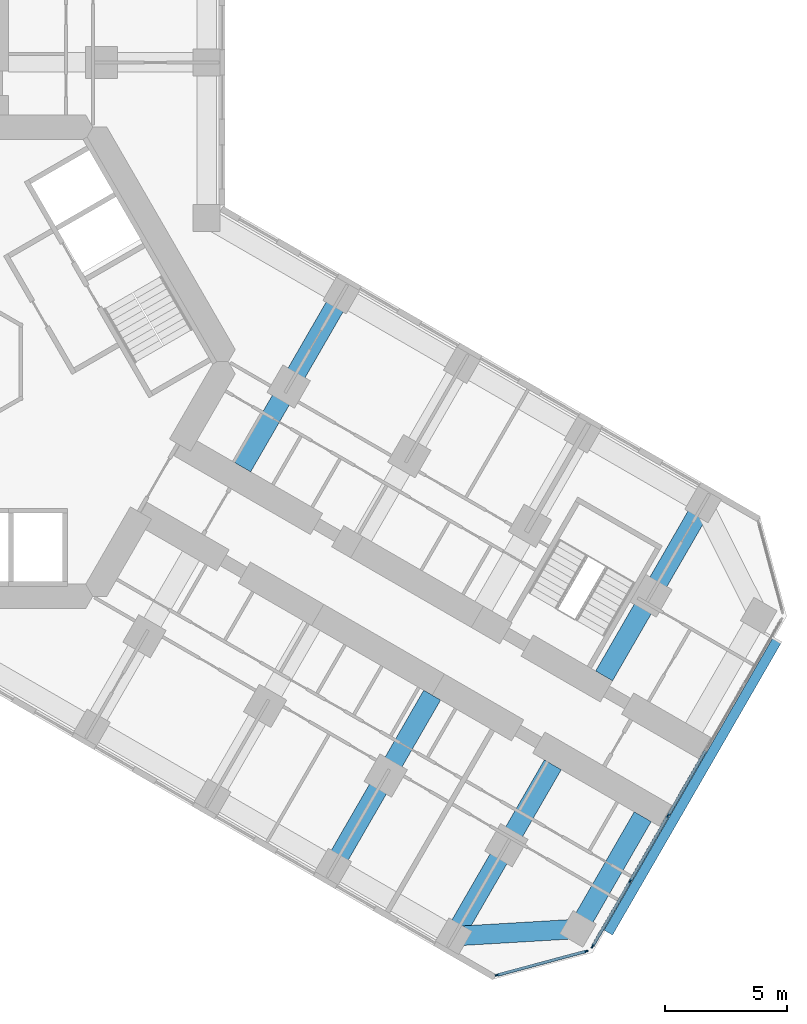
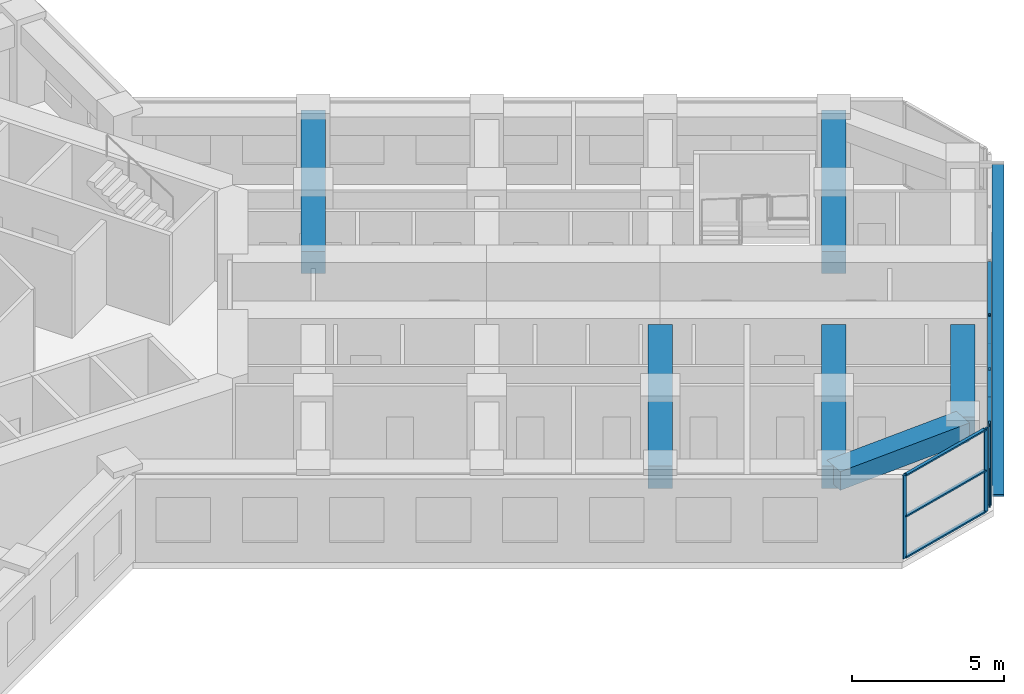
# One storey, part 5 of 21: 15 members, 6 beams, 2 elements without a shape of their own.
"""IFC4 building model written with IfcOpenShell, lengths in metres."""

from ifc_helpers import new_model, si_unit, direction, frame, origin, origin_2d, place, context, subcontext, project, spatial, rectangle, extrude, material, material_profile, profile_set, type_object, element, aggregate, save


model = new_model("IFC4")

# Units and contexts
model_context = context("Model", 3, precision=1e-05, world=origin(), true_north=direction((0.0, 1.0)))
body_context = subcontext(model_context, "Body", "Model", "MODEL_VIEW")
ifc_project = project(units=[si_unit("LENGTHUNIT", "METRE"), si_unit("AREAUNIT", "SQUARE_METRE"), si_unit("VOLUMEUNIT", "CUBIC_METRE"), si_unit("PLANEANGLEUNIT", "RADIAN"), si_unit("MASSUNIT", "GRAM", prefix="KILO")], contexts=[model_context])

# Site, building, storey
site_placement = place(None, origin())
site = spatial("IfcSite", under=ifc_project, at=site_placement, CompositionType="ELEMENT")
building_placement = place(site_placement, origin())
building = spatial("IfcBuilding", under=site, at=building_placement, Name="Kosmar Iwan School Tower", CompositionType="ELEMENT")
storey_placement = place(building_placement, frame((0.0, 0.0, 39.39990234375)))
storey = spatial("IfcBuildingStorey", under=building, at=storey_placement, Name="L08", CompositionType="ELEMENT", Elevation=39.39990234375)

# Member
ifc_material_1 = material(Name="Black anodised aluminium", Category="aluminium")
ifc_material_profile_1 = material_profile(ifc_material_1, rectangle(XDim=0.10009765625, YDim=0.39990234375, at=origin_2d()), Name="FIN 100x400")
ifc_profile_set_1 = profile_set([ifc_material_profile_1], Name="Black anodised aluminium")
member_type_1 = type_object("IfcMemberType", Name="Diagonal fin 100x400", PredefinedType="USERDEFINED", material=ifc_profile_set_1)
member_1_placement = place(storey_placement, frame((26.645263671875, -23.34912109375, -0.14990234375), z_axis=(0.483793446988, 0.837970316603, 0.25248692866), x_axis=(-0.126241714543, -0.218661104574, 0.96760030532)))
element("IfcMember", 1, at=member_1_placement, inside=storey, type_object=member_type_1, Name="Diagonal fin L08-F03", ObjectType="FIN", PredefinedType="USERDEFINED", context=body_context, shape_type="SweptSolid", body=[
    extrude(rectangle(XDim=0.10009765625, YDim=0.39990234375, at=origin_2d()), origin(), (0.0, 0.0, 1.0), 14.258544921875),
])

# Curtain wall, members
ifc_material_2 = material(Name="Dark glass in black aluminium frame", Category="aluminium")
curtain_wall_type_1 = type_object("IfcCurtainWallType", Name="Chamfer curtain wall dark glass", PredefinedType="USERDEFINED", material=ifc_material_2)
curtain_wall_1_placement = place(storey_placement, origin())
curtain_wall_1 = element("IfcCurtainWall", 2, at=curtain_wall_1_placement, inside=storey, type_object=curtain_wall_type_1, Name="Curtain wall L08-F02", ObjectType="FACETED CURTAIN WALL", PredefinedType="USERDEFINED")
ifc_material_3 = material(Name="Black anodised aluminium", Category="aluminium")
ifc_material_profile_2 = material_profile(ifc_material_3, rectangle(XDim=0.06005859375, YDim=0.159912109375, at=origin_2d()), Name="MULLION 60x160")
ifc_profile_set_2 = profile_set([ifc_material_profile_2], Name="Black anodised aluminium")
member_type_2 = type_object("IfcMemberType", Name="Mullion 60x160", PredefinedType="MULLION", material=ifc_profile_set_2)
member_2_placement = place(storey_placement, frame((22.0830078125, -25.102294921875, 0.0), z_axis=(0.0, 0.0, 1.0), x_axis=(-0.258818861462, 0.965925875495, 0.0)))
member_2 = element("IfcMember", 3, at=member_2_placement, type_object=member_type_2, Name="CW2 mullion 1", PredefinedType="MULLION", context=body_context, shape_type="SweptSolid", body=[
    extrude(rectangle(XDim=0.06005859375, YDim=0.159912109375, at=origin_2d()), origin(), (0.0, 0.0, 1.0), 3.35009765625),
])
member_3_placement = place(storey_placement, frame((25.733154296875, -24.124267578125, 0.0), z_axis=(0.0, 0.0, 1.0), x_axis=(-0.258818861462, 0.965925875495, 0.0)))
member_3 = element("IfcMember", 4, at=member_3_placement, type_object=member_type_2, Name="CW2 mullion 2", PredefinedType="MULLION", context=body_context, shape_type="SweptSolid", body=[
    extrude(rectangle(XDim=0.06005859375, YDim=0.159912109375, at=origin_2d()), origin(), (0.0, 0.0, 1.0), 3.35009765625),
])

ifc_material_4 = material(Name="Dark glass in black aluminium frame", Category="aluminium")
curtain_wall_type_2 = type_object("IfcCurtainWallType", Name="Tower curtain wall dark glass", PredefinedType="USERDEFINED", material=ifc_material_4)
curtain_wall_2_placement = place(storey_placement, origin())
curtain_wall_2 = element("IfcCurtainWall", 5, at=curtain_wall_2_placement, inside=storey, type_object=curtain_wall_type_2, Name="Curtain wall L08-F03", ObjectType="UNITISED CURTAIN WALL", PredefinedType="USERDEFINED")
member_4_placement = place(storey_placement, frame((25.9970703125, -23.921630859375, 0.0), z_axis=(0.0, 0.0, 1.0), x_axis=(-0.866025405329, 0.499999997325, 0.0)))
member_4 = element("IfcMember", 6, at=member_4_placement, type_object=member_type_2, Name="CW1 mullion 1", PredefinedType="MULLION", context=body_context, shape_type="SweptSolid", body=[
    extrude(rectangle(XDim=0.06005859375, YDim=0.159912109375, at=origin_2d()), origin(), (0.0, 0.0, 1.0), 3.35009765625),
])
member_5_placement = place(storey_placement, frame((27.53173828125, -21.263671875, 0.0), z_axis=(0.0, 0.0, 1.0), x_axis=(-0.866025405329, 0.499999997325, 0.0)))
member_5 = element("IfcMember", 7, at=member_5_placement, type_object=member_type_2, Name="CW1 mullion 2", PredefinedType="MULLION", context=body_context, shape_type="SweptSolid", body=[
    extrude(rectangle(XDim=0.06005859375, YDim=0.159912109375, at=origin_2d()), origin(), (0.0, 0.0, 1.0), 3.35009765625),
])
member_6_placement = place(storey_placement, frame((29.081298828125, -18.57958984375, 0.0), z_axis=(0.0, 0.0, 1.0), x_axis=(-0.866025405329, 0.499999997325, 0.0)))
member_6 = element("IfcMember", 8, at=member_6_placement, type_object=member_type_2, Name="CW1 mullion 3", PredefinedType="MULLION", context=body_context, shape_type="SweptSolid", body=[
    extrude(rectangle(XDim=0.06005859375, YDim=0.159912109375, at=origin_2d()), origin(), (0.0, 0.0, 1.0), 3.35009765625),
])

# Beams
ifc_material_5 = material(Name="Concrete C50/60", Category="concrete")
ifc_material_profile_3 = material_profile(ifc_material_5, rectangle(XDim=0.800048828125, YDim=0.75, at=origin_2d()), Name="RC 800x750")
ifc_profile_set_3 = profile_set([ifc_material_profile_3], Name="Concrete C50/60")
beam_type_1 = type_object("IfcBeamType", Name="RC tip beam 800x750", PredefinedType="BEAM", material=ifc_profile_set_3)
beam_1_placement = place(storey_placement, frame((20.31787109375, -23.508544921875, 2.97509765625), z_axis=(0.998260616478, 0.058955420358, 0.0), x_axis=(-0.058955420358, 0.998260616478, 0.0)))
element("IfcBeam", 9, at=beam_1_placement, inside=storey, type_object=beam_type_1, Name="Tip beam CR", PredefinedType="BEAM", context=body_context, shape_type="SweptSolid", body=[
    extrude(rectangle(XDim=0.800048828125, YDim=0.75, at=origin_2d()), origin(), (0.0, 0.0, 1.0), 5.08935546875),
])
beam_2_placement = place(storey_placement, frame((25.3984375, -23.20849609375, 2.97509765625), z_axis=(0.499993606316, 0.866029095148, 0.0), x_axis=(-0.866029095148, 0.499993606316, 0.0)))
element("IfcBeam", 10, at=beam_2_placement, inside=storey, type_object=beam_type_1, Name="Tip beam CR to corridor wall", PredefinedType="BEAM", context=body_context, shape_type="SweptSolid", body=[
    extrude(rectangle(XDim=0.800048828125, YDim=0.75, at=origin_2d()), origin(), (0.0, 0.0, 1.0), 5.2998046875),
])
ifc_material_6 = material(Name="Concrete C50/60", Category="concrete")
ifc_material_profile_4 = material_profile(ifc_material_6, rectangle(XDim=0.800048828125, YDim=0.89990234375, at=origin_2d()), Name="RC 800x900")
ifc_profile_set_4 = profile_set([ifc_material_profile_4], Name="Concrete C50/60")
beam_type_2 = type_object("IfcBeamType", Name="RC transverse beam 800x900", PredefinedType="BEAM", material=ifc_profile_set_4)
for number, where, z_axis, x_axis, name in (
    (11, (15.708740234375, 2.70849609375, 2.900146484375), (-0.499999880539, -0.866025472755, 0.0), (0.866025472755, -0.499999880539, 0.0), "Transverse beam CL1"),
    (12, (30.517822265625, -5.841552734375, 2.900146484375), (-0.499999880539, -0.866025472755, 0.0), (0.866025472755, -0.499999880539, 0.0), "Transverse beam CL4"),
    (13, (15.381591796875, -20.658447265625, 2.900146484375), (0.499977274689, 0.866038523851, 0.0), (-0.866038523851, 0.499977274689, 0.0), "Transverse beam CR3"),
    (14, (20.31787109375, -23.508544921875, 2.900146484375), (0.499999880539, 0.866025472755, 0.0), (-0.866025472755, 0.499999880539, 0.0), "Transverse beam CR4"),
):
    element("IfcBeam", number, at=place(storey_placement, frame(where, z_axis=z_axis, x_axis=x_axis)), inside=storey, type_object=beam_type_2, Name=name, PredefinedType="BEAM", context=body_context, shape_type="SweptSolid", body=[
        extrude(rectangle(XDim=0.800048828125, YDim=0.89990234375, at=origin_2d()), origin(), (0.0, 0.0, 1.0), 8.10009765625),
    ])

# Member
ifc_material_7 = material(Name="Black anodised aluminium", Category="aluminium")
ifc_material_profile_5 = material_profile(ifc_material_7, rectangle(XDim=0.1201171875, YDim=0.06005859375, at=origin_2d()), Name="TRANSOM 60x120")
ifc_profile_set_5 = profile_set([ifc_material_profile_5], Name="Black anodised aluminium")
member_type_3 = type_object("IfcMemberType", Name="Transom 60x120", PredefinedType="USERDEFINED", material=ifc_profile_set_5)
member_7_placement = place(storey_placement, frame((22.11181640625, -25.094482421875, 0.030029296875), z_axis=(0.965923731726, 0.258826861991, 0.0), x_axis=(-0.258826861991, 0.965923731726, 0.0)))
member_7 = element("IfcMember", 15, at=member_7_placement, type_object=member_type_3, Name="CW2 transom 1.1", ObjectType="TRANSOM", PredefinedType="USERDEFINED", context=body_context, shape_type="SweptSolid", body=[
    extrude(rectangle(XDim=0.1201171875, YDim=0.06005859375, at=origin_2d()), origin(), (0.0, 0.0, 1.0), 3.71923828125),
])

member_8_placement = place(storey_placement, frame((22.11181640625, -25.094482421875, 1.675048828125), z_axis=(0.965923731726, 0.258826861991, 0.0), x_axis=(-0.258826861991, 0.965923731726, 0.0)))
member_8 = element("IfcMember", 16, at=member_8_placement, type_object=member_type_3, Name="CW2 transom 1.2", ObjectType="TRANSOM", PredefinedType="USERDEFINED", context=body_context, shape_type="SweptSolid", body=[
    extrude(rectangle(XDim=0.1201171875, YDim=0.06005859375, at=origin_2d()), origin(), (0.0, 0.0, 1.0), 3.71923828125),
])

member_9_placement = place(storey_placement, frame((22.11181640625, -25.094482421875, 3.320068359375), z_axis=(0.965923731726, 0.258826861991, 0.0), x_axis=(-0.258826861991, 0.965923731726, 0.0)))
member_9 = element("IfcMember", 17, at=member_9_placement, type_object=member_type_3, Name="CW2 transom 1.3", ObjectType="TRANSOM", PredefinedType="USERDEFINED", context=body_context, shape_type="SweptSolid", body=[
    extrude(rectangle(XDim=0.1201171875, YDim=0.06005859375, at=origin_2d()), origin(), (0.0, 0.0, 1.0), 3.71923828125),
])

aggregate(curtain_wall_1, [member_2, member_3, member_7, member_8, member_9])

member_10_placement = place(storey_placement, frame((26.01220703125, -23.895751953125, 0.030029296875), z_axis=(0.499986971506, 0.866032925658, 0.0), x_axis=(-0.866032925658, 0.499986971506, 0.0)))
member_10 = element("IfcMember", 18, at=member_10_placement, type_object=member_type_3, Name="CW1 transom 1.1", ObjectType="TRANSOM", PredefinedType="USERDEFINED", context=body_context, shape_type="SweptSolid", body=[
    extrude(rectangle(XDim=0.1201171875, YDim=0.06005859375, at=origin_2d()), origin(), (0.0, 0.0, 1.0), 3.00927734375),
])

member_11_placement = place(storey_placement, frame((26.01220703125, -23.895751953125, 3.320068359375), z_axis=(0.499986971506, 0.866032925658, 0.0), x_axis=(-0.866032925658, 0.499986971506, 0.0)))
member_11 = element("IfcMember", 19, at=member_11_placement, type_object=member_type_3, Name="CW1 transom 1.2", ObjectType="TRANSOM", PredefinedType="USERDEFINED", context=body_context, shape_type="SweptSolid", body=[
    extrude(rectangle(XDim=0.1201171875, YDim=0.06005859375, at=origin_2d()), origin(), (0.0, 0.0, 1.0), 3.00927734375),
])

member_12_placement = place(storey_placement, frame((27.546875, -21.237548828125, 0.030029296875), z_axis=(0.499975102327, 0.866039777986, 0.0), x_axis=(-0.866039777986, 0.499975102327, 0.0)))
member_12 = element("IfcMember", 20, at=member_12_placement, type_object=member_type_3, Name="CW1 transom 2.1", ObjectType="TRANSOM", PredefinedType="USERDEFINED", context=body_context, shape_type="SweptSolid", body=[
    extrude(rectangle(XDim=0.1201171875, YDim=0.06005859375, at=origin_2d()), origin(), (0.0, 0.0, 1.0), 3.039306640625),
])

member_13_placement = place(storey_placement, frame((27.546875, -21.237548828125, 3.320068359375), z_axis=(0.499975102327, 0.866039777986, 0.0), x_axis=(-0.866039777986, 0.499975102327, 0.0)))
member_13 = element("IfcMember", 21, at=member_13_placement, type_object=member_type_3, Name="CW1 transom 2.2", ObjectType="TRANSOM", PredefinedType="USERDEFINED", context=body_context, shape_type="SweptSolid", body=[
    extrude(rectangle(XDim=0.1201171875, YDim=0.06005859375, at=origin_2d()), origin(), (0.0, 0.0, 1.0), 3.039306640625),
])

member_14_placement = place(storey_placement, frame((29.096435546875, -18.553466796875, 0.030029296875), z_axis=(0.499975102327, 0.866039777986, 0.0), x_axis=(-0.866039777986, 0.499975102327, 0.0)))
member_14 = element("IfcMember", 22, at=member_14_placement, type_object=member_type_3, Name="CW1 transom 3.1", ObjectType="TRANSOM", PredefinedType="USERDEFINED", context=body_context, shape_type="SweptSolid", body=[
    extrude(rectangle(XDim=0.1201171875, YDim=0.06005859375, at=origin_2d()), origin(), (0.0, 0.0, 1.0), 3.039306640625),
])

member_15_placement = place(storey_placement, frame((29.096435546875, -18.553466796875, 3.320068359375), z_axis=(0.499975102327, 0.866039777986, 0.0), x_axis=(-0.866039777986, 0.499975102327, 0.0)))
member_15 = element("IfcMember", 23, at=member_15_placement, type_object=member_type_3, Name="CW1 transom 3.2", ObjectType="TRANSOM", PredefinedType="USERDEFINED", context=body_context, shape_type="SweptSolid", body=[
    extrude(rectangle(XDim=0.1201171875, YDim=0.06005859375, at=origin_2d()), origin(), (0.0, 0.0, 1.0), 3.039306640625),
])

aggregate(curtain_wall_2, [member_4, member_5, member_6, member_10, member_11, member_12, member_13, member_14, member_15])

save(model, "model.ifc")
